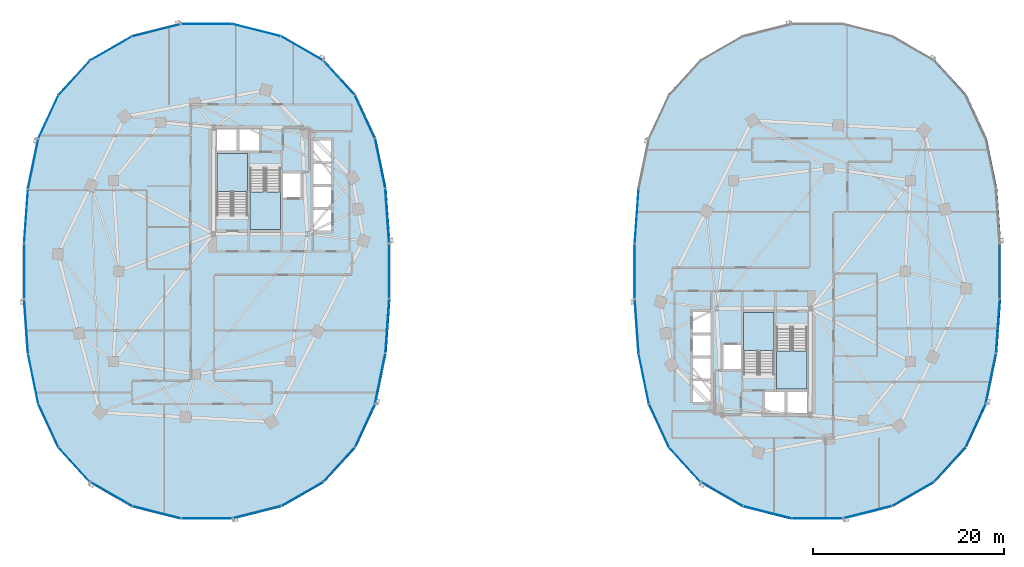
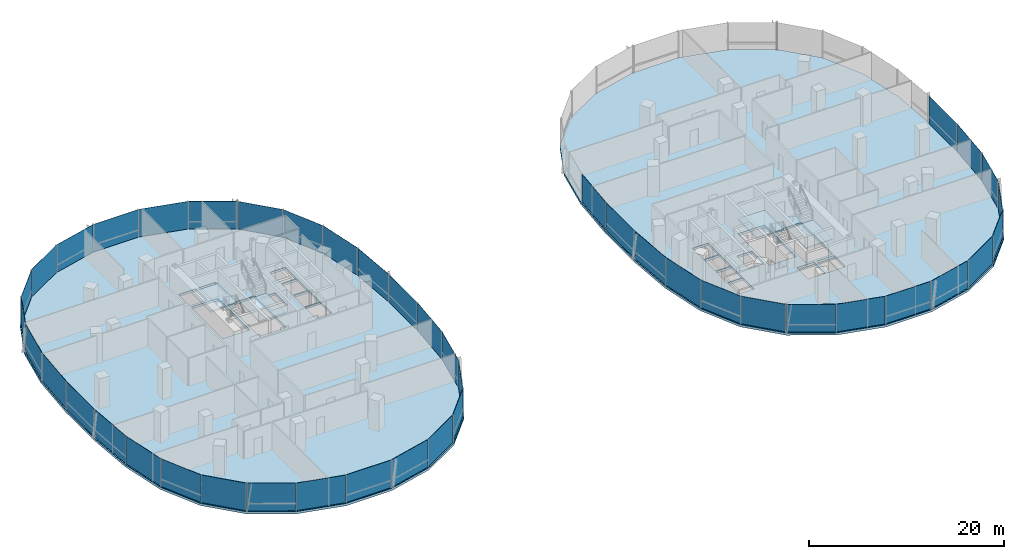
# One storey, part 9 of 22: 44 plates, 6 slabs, 11 elements without a shape of their own.
"""IFC4 building model written with IfcOpenShell, lengths in metres."""

from ifc_helpers import new_model, si_unit, direction, frame, origin, origin_2d, place, context, subcontext, project, spatial, polyline, rectangle, outline, extrude, material, layer, layer_set, type_object, element, aggregate, save


model = new_model("IFC4")

# Units and contexts
model_context = context("Model", 3, precision=1e-05, world=origin(), true_north=direction((0.0, 1.0)))
body_context = subcontext(model_context, "Body", "Model", "MODEL_VIEW")
ifc_project = project(units=[si_unit("LENGTHUNIT", "METRE"), si_unit("AREAUNIT", "SQUARE_METRE"), si_unit("VOLUMEUNIT", "CUBIC_METRE"), si_unit("PLANEANGLEUNIT", "RADIAN"), si_unit("MASSUNIT", "GRAM", prefix="KILO"), si_unit("THERMODYNAMICTEMPERATUREUNIT", "KELVIN"), si_unit("POWERUNIT", "WATT")], contexts=[model_context])

# Site, building, storey
site_placement = place(None, origin())
site = spatial("IfcSite", under=ifc_project, at=site_placement, CompositionType="ELEMENT")
building_placement = place(site_placement, origin())
building = spatial("IfcBuilding", under=site, at=building_placement, Name="Cundina Bronze Exchange", CompositionType="ELEMENT")
storey_placement = place(building_placement, frame((0.0, 0.0, 39.199951171875)))
storey = spatial("IfcBuildingStorey", under=building, at=storey_placement, Name="L09", CompositionType="ELEMENT", Elevation=39.199951171875)

# Curtain wall, plates
ifc_material_1 = material(Name="Anodised Bronze Aluminium 6063-T6", Category="aluminium")
curtain_wall_type = type_object("IfcCurtainWallType", Name="CWS-TRD-LOW", PredefinedType="NOTDEFINED", material=ifc_material_1)
curtain_wall_1_placement = place(storey_placement, origin())
curtain_wall_1 = element("IfcCurtainWall", 1, at=curtain_wall_1_placement, inside=storey, type_object=curtain_wall_type, Name="L09 CW-02 Curtain Wall Run CWR-L09-W1", PredefinedType="NOTDEFINED")
ifc_material_2 = material(Name="Heat-Strengthened Solar-Control Bronze Safety Glass 28mm", Category="glass")
ifc_layer_1 = layer(ifc_material_2, 0.028076171875, Name="Heat-Strengthened Solar-Control Bronze Safety Glass 28mm", Category="glass")
ifc_layer_set_1 = layer_set([ifc_layer_1], Name="Heat-Strengthened Solar-Control Bronze Safety Glass 28mm")
plate_type_1 = type_object("IfcPlateType", Name="PLT-GLZ-VIS28", PredefinedType="CURTAIN_PANEL", material=ifc_layer_set_1)
plate_1_placement = place(storey_placement, frame((-13.81591796875, 11.269775390625, 0.02001953125), z_axis=(0.0, 0.0, 1.0), x_axis=(-0.201419845156, 0.979505000486, 0.0)))
plate_1 = element("IfcPlate", 2, at=plate_1_placement, type_object=plate_type_1, Name="CW-02 Glazed Panel 2", PredefinedType="CURTAIN_PANEL", context=body_context, shape_type="SweptSolid", body=[
    extrude(rectangle(XDim=5.306640625, YDim=0.028076171875, at=origin_2d()), origin(), (0.0, 0.0, 1.0), 3.4599609375),
])
plate_2_placement = place(storey_placement, frame((-15.413818359375, 16.177734375, 0.02001953125), z_axis=(0.0, 0.0, 1.0), x_axis=(-0.42084583328, 0.907132175932, 0.0)))
plate_2 = element("IfcPlate", 3, at=plate_2_placement, type_object=plate_type_1, Name="CW-02 Glazed Panel 3", PredefinedType="CURTAIN_PANEL", context=body_context, shape_type="SweptSolid", body=[
    extrude(rectangle(XDim=4.966552734375, YDim=0.028076171875, at=origin_2d()), origin(), (0.0, 0.0, 1.0), 3.4599609375),
])
plate_3_placement = place(storey_placement, frame((-18.1259765625, 20.267333984375, 0.02001953125), z_axis=(0.0, 0.0, 1.0), x_axis=(-0.674276610219, 0.73847887777, 0.0)))
plate_3 = element("IfcPlate", 4, at=plate_3_placement, type_object=plate_type_1, Name="CW-02 Glazed Panel 4", PredefinedType="CURTAIN_PANEL", context=body_context, shape_type="SweptSolid", body=[
    extrude(rectangle(XDim=4.86328125, YDim=0.028076171875, at=origin_2d()), origin(), (0.0, 0.0, 1.0), 3.4599609375),
])
plate_4_placement = place(storey_placement, frame((-21.980712890625, 23.34423828125, 0.02001953125), z_axis=(0.0, 0.0, 1.0), x_axis=(-0.867105478933, 0.498124571171, 0.0)))
plate_4 = element("IfcPlate", 5, at=plate_4_placement, type_object=plate_type_1, Name="CW-02 Glazed Panel 5", PredefinedType="CURTAIN_PANEL", context=body_context, shape_type="SweptSolid", body=[
    extrude(rectangle(XDim=5.021240234375, YDim=0.028076171875, at=origin_2d()), origin(), (0.0, 0.0, 1.0), 3.4599609375),
])
plate_5_placement = place(storey_placement, frame((-32.0, 25.905029296875, 0.02001953125), z_axis=(0.0, 0.0, 1.0), x_axis=(-1.0, 0.0, 0.0)))
plate_5 = element("IfcPlate", 6, at=plate_5_placement, type_object=plate_type_1, Name="CW-02 Glazed Panel 7", PredefinedType="CURTAIN_PANEL", context=body_context, shape_type="SweptSolid", body=[
    extrude(rectangle(XDim=5.323974609375, YDim=0.028076171875, at=origin_2d()), origin(), (0.0, 0.0, 1.0), 3.4599609375),
])

curtain_wall_2_placement = place(storey_placement, origin())
curtain_wall_2 = element("IfcCurtainWall", 7, at=curtain_wall_2_placement, inside=storey, type_object=curtain_wall_type, Name="L09 CW-02 Curtain Wall Run CWR-L09-W2", PredefinedType="NOTDEFINED")
plate_6_placement = place(storey_placement, frame((-37.255615234375, 25.256591796875, 0.02001953125), z_axis=(0.0, 0.0, 1.0), x_axis=(-0.969488149345, -0.245138182011, 0.0)))
plate_6 = element("IfcPlate", 8, at=plate_6_placement, type_object=plate_type_1, Name="CW-02 Glazed Panel 1", PredefinedType="CURTAIN_PANEL", context=body_context, shape_type="SweptSolid", body=[
    extrude(rectangle(XDim=5.2333984375, YDim=0.028076171875, at=origin_2d()), origin(), (0.0, 0.0, 1.0), 3.4599609375),
])
plate_7_placement = place(storey_placement, frame((-42.019287109375, 23.34423828125, 0.02001953125), z_axis=(0.0, 0.0, 1.0), x_axis=(-0.867105478933, -0.498124571171, 0.0)))
plate_7 = element("IfcPlate", 9, at=plate_7_placement, type_object=plate_type_1, Name="CW-02 Glazed Panel 2", PredefinedType="CURTAIN_PANEL", context=body_context, shape_type="SweptSolid", body=[
    extrude(rectangle(XDim=5.021240234375, YDim=0.028076171875, at=origin_2d()), origin(), (0.0, 0.0, 1.0), 3.4599609375),
])
plate_8_placement = place(storey_placement, frame((-45.8740234375, 20.267333984375, 0.02001953125), z_axis=(0.0, 0.0, 1.0), x_axis=(-0.674276610219, -0.73847887777, 0.0)))
plate_8 = element("IfcPlate", 10, at=plate_8_placement, type_object=plate_type_1, Name="CW-02 Glazed Panel 3", PredefinedType="CURTAIN_PANEL", context=body_context, shape_type="SweptSolid", body=[
    extrude(rectangle(XDim=4.86328125, YDim=0.028076171875, at=origin_2d()), origin(), (0.0, 0.0, 1.0), 3.4599609375),
])
plate_9_placement = place(storey_placement, frame((-48.586181640625, 16.177734375, 0.02001953125), z_axis=(0.0, 0.0, 1.0), x_axis=(-0.42084583328, -0.907132175932, 0.0)))
plate_9 = element("IfcPlate", 11, at=plate_9_placement, type_object=plate_type_1, Name="CW-02 Glazed Panel 4", PredefinedType="CURTAIN_PANEL", context=body_context, shape_type="SweptSolid", body=[
    extrude(rectangle(XDim=4.966552734375, YDim=0.028076171875, at=origin_2d()), origin(), (0.0, 0.0, 1.0), 3.4599609375),
])
plate_10_placement = place(storey_placement, frame((-50.9267578125, 5.783935546875, 0.02001953125), z_axis=(0.0, 0.0, 1.0), x_axis=(-0.070278787473, -0.997527389113, 0.0)))
plate_10 = element("IfcPlate", 12, at=plate_10_placement, type_object=plate_type_1, Name="CW-02 Glazed Panel 6", PredefinedType="CURTAIN_PANEL", context=body_context, shape_type="SweptSolid", body=[
    extrude(rectangle(XDim=5.644287109375, YDim=0.028076171875, at=origin_2d()), origin(), (0.0, 0.0, 1.0), 3.4599609375),
])
plate_11_placement = place(storey_placement, frame((-51.1279296875, 0.0, 0.02001953125), z_axis=(0.0, 0.0, 1.0), x_axis=(0.0, -1.0, 0.0)))
plate_11 = element("IfcPlate", 13, at=plate_11_placement, type_object=plate_type_1, Name="CW-02 Glazed Panel 7", PredefinedType="CURTAIN_PANEL", context=body_context, shape_type="SweptSolid", body=[
    extrude(rectangle(XDim=5.77587890625, YDim=0.028076171875, at=origin_2d()), origin(), (0.0, 0.0, 1.0), 3.4599609375),
])

curtain_wall_3_placement = place(storey_placement, origin())
curtain_wall_3 = element("IfcCurtainWall", 14, at=curtain_wall_3_placement, inside=storey, type_object=curtain_wall_type, Name="L09 CW-02 Curtain Wall Run CWR-L09-W3", PredefinedType="NOTDEFINED")
plate_12_placement = place(storey_placement, frame((-50.9267578125, -5.783935546875, 0.02001953125), z_axis=(0.0, 0.0, 1.0), x_axis=(0.070278787473, -0.997527389113, 0.0)))
plate_12 = element("IfcPlate", 15, at=plate_12_placement, type_object=plate_type_1, Name="CW-02 Glazed Panel 1", PredefinedType="CURTAIN_PANEL", context=body_context, shape_type="SweptSolid", body=[
    extrude(rectangle(XDim=5.644287109375, YDim=0.028076171875, at=origin_2d()), origin(), (0.0, 0.0, 1.0), 3.4599609375),
])
plate_13_placement = place(storey_placement, frame((-50.18408203125, -11.269775390625, 0.02001953125), z_axis=(0.0, 0.0, 1.0), x_axis=(0.201419845156, -0.979505000486, 0.0)))
plate_13 = element("IfcPlate", 16, at=plate_13_placement, type_object=plate_type_1, Name="CW-02 Glazed Panel 2", PredefinedType="CURTAIN_PANEL", context=body_context, shape_type="SweptSolid", body=[
    extrude(rectangle(XDim=5.306640625, YDim=0.028076171875, at=origin_2d()), origin(), (0.0, 0.0, 1.0), 3.4599609375),
])
plate_14_placement = place(storey_placement, frame((-48.586181640625, -16.177734375, 0.02001953125), z_axis=(0.0, 0.0, 1.0), x_axis=(0.42084583328, -0.907132175932, 0.0)))
plate_14 = element("IfcPlate", 17, at=plate_14_placement, type_object=plate_type_1, Name="CW-02 Glazed Panel 3", PredefinedType="CURTAIN_PANEL", context=body_context, shape_type="SweptSolid", body=[
    extrude(rectangle(XDim=4.966552734375, YDim=0.028076171875, at=origin_2d()), origin(), (0.0, 0.0, 1.0), 3.4599609375),
])
plate_15_placement = place(storey_placement, frame((-42.019287109375, -23.34423828125, 0.02001953125), z_axis=(0.0, 0.0, 1.0), x_axis=(0.867105478933, -0.498124571171, 0.0)))
plate_15 = element("IfcPlate", 18, at=plate_15_placement, type_object=plate_type_1, Name="CW-02 Glazed Panel 5", PredefinedType="CURTAIN_PANEL", context=body_context, shape_type="SweptSolid", body=[
    extrude(rectangle(XDim=5.021240234375, YDim=0.028076171875, at=origin_2d()), origin(), (0.0, 0.0, 1.0), 3.4599609375),
])
plate_16_placement = place(storey_placement, frame((-37.255615234375, -25.256591796875, 0.02001953125), z_axis=(0.0, 0.0, 1.0), x_axis=(0.969488149345, -0.245138182011, 0.0)))
plate_16 = element("IfcPlate", 19, at=plate_16_placement, type_object=plate_type_1, Name="CW-02 Glazed Panel 6", PredefinedType="CURTAIN_PANEL", context=body_context, shape_type="SweptSolid", body=[
    extrude(rectangle(XDim=5.2333984375, YDim=0.028076171875, at=origin_2d()), origin(), (0.0, 0.0, 1.0), 3.4599609375),
])
plate_17_placement = place(storey_placement, frame((-32.0, -25.905029296875, 0.02001953125), z_axis=(0.0, 0.0, 1.0), x_axis=(1.0, 0.0, 0.0)))
plate_17 = element("IfcPlate", 20, at=plate_17_placement, type_object=plate_type_1, Name="CW-02 Glazed Panel 7", PredefinedType="CURTAIN_PANEL", context=body_context, shape_type="SweptSolid", body=[
    extrude(rectangle(XDim=5.323974609375, YDim=0.028076171875, at=origin_2d()), origin(), (0.0, 0.0, 1.0), 3.4599609375),
])

curtain_wall_4_placement = place(storey_placement, origin())
curtain_wall_4 = element("IfcCurtainWall", 21, at=curtain_wall_4_placement, inside=storey, type_object=curtain_wall_type, Name="L09 CW-02 Curtain Wall Run CWR-L09-W4", PredefinedType="NOTDEFINED")
plate_18_placement = place(storey_placement, frame((-26.744384765625, -25.256591796875, 0.02001953125), z_axis=(0.0, 0.0, 1.0), x_axis=(0.969488149345, 0.245138182011, 0.0)))
plate_18 = element("IfcPlate", 22, at=plate_18_placement, type_object=plate_type_1, Name="CW-02 Glazed Panel 1", PredefinedType="CURTAIN_PANEL", context=body_context, shape_type="SweptSolid", body=[
    extrude(rectangle(XDim=5.2333984375, YDim=0.028076171875, at=origin_2d()), origin(), (0.0, 0.0, 1.0), 3.4599609375),
])
plate_19_placement = place(storey_placement, frame((-21.980712890625, -23.34423828125, 0.02001953125), z_axis=(0.0, 0.0, 1.0), x_axis=(0.867105478933, 0.498124571171, 0.0)))
plate_19 = element("IfcPlate", 23, at=plate_19_placement, type_object=plate_type_1, Name="CW-02 Glazed Panel 2", PredefinedType="CURTAIN_PANEL", context=body_context, shape_type="SweptSolid", body=[
    extrude(rectangle(XDim=5.021240234375, YDim=0.028076171875, at=origin_2d()), origin(), (0.0, 0.0, 1.0), 3.4599609375),
])
plate_20_placement = place(storey_placement, frame((-15.413818359375, -16.177734375, 0.02001953125), z_axis=(0.0, 0.0, 1.0), x_axis=(0.42084583328, 0.907132175932, 0.0)))
plate_20 = element("IfcPlate", 24, at=plate_20_placement, type_object=plate_type_1, Name="CW-02 Glazed Panel 4", PredefinedType="CURTAIN_PANEL", context=body_context, shape_type="SweptSolid", body=[
    extrude(rectangle(XDim=4.966552734375, YDim=0.028076171875, at=origin_2d()), origin(), (0.0, 0.0, 1.0), 3.4599609375),
])
plate_21_placement = place(storey_placement, frame((-13.81591796875, -11.269775390625, 0.02001953125), z_axis=(0.0, 0.0, 1.0), x_axis=(0.201419845156, 0.979505000486, 0.0)))
plate_21 = element("IfcPlate", 25, at=plate_21_placement, type_object=plate_type_1, Name="CW-02 Glazed Panel 5", PredefinedType="CURTAIN_PANEL", context=body_context, shape_type="SweptSolid", body=[
    extrude(rectangle(XDim=5.306640625, YDim=0.028076171875, at=origin_2d()), origin(), (0.0, 0.0, 1.0), 3.4599609375),
])
plate_22_placement = place(storey_placement, frame((-13.0732421875, -5.783935546875, 0.02001953125), z_axis=(0.0, 0.0, 1.0), x_axis=(0.070278787473, 0.997527389113, 0.0)))
plate_22 = element("IfcPlate", 26, at=plate_22_placement, type_object=plate_type_1, Name="CW-02 Glazed Panel 6", PredefinedType="CURTAIN_PANEL", context=body_context, shape_type="SweptSolid", body=[
    extrude(rectangle(XDim=5.644287109375, YDim=0.028076171875, at=origin_2d()), origin(), (0.0, 0.0, 1.0), 3.4599609375),
])
plate_23_placement = place(storey_placement, frame((-12.8720703125, 0.0, 0.02001953125), z_axis=(0.0, 0.0, 1.0), x_axis=(0.0, 1.0, 0.0)))
plate_23 = element("IfcPlate", 27, at=plate_23_placement, type_object=plate_type_1, Name="CW-02 Glazed Panel 7", PredefinedType="CURTAIN_PANEL", context=body_context, shape_type="SweptSolid", body=[
    extrude(rectangle(XDim=5.77587890625, YDim=0.028076171875, at=origin_2d()), origin(), (0.0, 0.0, 1.0), 3.4599609375),
])

curtain_wall_5_placement = place(storey_placement, origin())
curtain_wall_5 = element("IfcCurtainWall", 28, at=curtain_wall_5_placement, inside=storey, type_object=curtain_wall_type, Name="L09 CW-02 Curtain Wall Run CWR-L09-E2", PredefinedType="NOTDEFINED")
plate_24_placement = place(storey_placement, frame((13.0732421875, 5.783935546875, 0.02001953125), z_axis=(0.0, 0.0, 1.0), x_axis=(-0.070278787473, -0.997527389113, 0.0)))
plate_24 = element("IfcPlate", 29, at=plate_24_placement, type_object=plate_type_1, Name="CW-02 Glazed Panel 6", PredefinedType="CURTAIN_PANEL", context=body_context, shape_type="SweptSolid", body=[
    extrude(rectangle(XDim=5.644287109375, YDim=0.028076171875, at=origin_2d()), origin(), (0.0, 0.0, 1.0), 3.4599609375),
])
plate_25_placement = place(storey_placement, frame((12.8720703125, 0.0, 0.02001953125), z_axis=(0.0, 0.0, 1.0), x_axis=(0.0, -1.0, 0.0)))
plate_25 = element("IfcPlate", 30, at=plate_25_placement, type_object=plate_type_1, Name="CW-02 Glazed Panel 7", PredefinedType="CURTAIN_PANEL", context=body_context, shape_type="SweptSolid", body=[
    extrude(rectangle(XDim=5.77587890625, YDim=0.028076171875, at=origin_2d()), origin(), (0.0, 0.0, 1.0), 3.4599609375),
])
aggregate(curtain_wall_5, [plate_24, plate_25])

curtain_wall_6_placement = place(storey_placement, origin())
curtain_wall_6 = element("IfcCurtainWall", 31, at=curtain_wall_6_placement, inside=storey, type_object=curtain_wall_type, Name="L09 CW-02 Curtain Wall Run CWR-L09-E3", PredefinedType="NOTDEFINED")
plate_26_placement = place(storey_placement, frame((13.0732421875, -5.783935546875, 0.02001953125), z_axis=(0.0, 0.0, 1.0), x_axis=(0.070278787473, -0.997527389113, 0.0)))
plate_26 = element("IfcPlate", 32, at=plate_26_placement, type_object=plate_type_1, Name="CW-02 Glazed Panel 1", PredefinedType="CURTAIN_PANEL", context=body_context, shape_type="SweptSolid", body=[
    extrude(rectangle(XDim=5.644287109375, YDim=0.028076171875, at=origin_2d()), origin(), (0.0, 0.0, 1.0), 3.4599609375),
])
plate_27_placement = place(storey_placement, frame((13.81591796875, -11.269775390625, 0.02001953125), z_axis=(0.0, 0.0, 1.0), x_axis=(0.201419845156, -0.979505000486, 0.0)))
plate_27 = element("IfcPlate", 33, at=plate_27_placement, type_object=plate_type_1, Name="CW-02 Glazed Panel 2", PredefinedType="CURTAIN_PANEL", context=body_context, shape_type="SweptSolid", body=[
    extrude(rectangle(XDim=5.306640625, YDim=0.028076171875, at=origin_2d()), origin(), (0.0, 0.0, 1.0), 3.4599609375),
])
plate_28_placement = place(storey_placement, frame((15.413818359375, -16.177734375, 0.02001953125), z_axis=(0.0, 0.0, 1.0), x_axis=(0.42084583328, -0.907132175932, 0.0)))
plate_28 = element("IfcPlate", 34, at=plate_28_placement, type_object=plate_type_1, Name="CW-02 Glazed Panel 3", PredefinedType="CURTAIN_PANEL", context=body_context, shape_type="SweptSolid", body=[
    extrude(rectangle(XDim=4.966552734375, YDim=0.028076171875, at=origin_2d()), origin(), (0.0, 0.0, 1.0), 3.4599609375),
])
plate_29_placement = place(storey_placement, frame((21.980712890625, -23.34423828125, 0.02001953125), z_axis=(0.0, 0.0, 1.0), x_axis=(0.867105478933, -0.498124571171, 0.0)))
plate_29 = element("IfcPlate", 35, at=plate_29_placement, type_object=plate_type_1, Name="CW-02 Glazed Panel 5", PredefinedType="CURTAIN_PANEL", context=body_context, shape_type="SweptSolid", body=[
    extrude(rectangle(XDim=5.021240234375, YDim=0.028076171875, at=origin_2d()), origin(), (0.0, 0.0, 1.0), 3.4599609375),
])
plate_30_placement = place(storey_placement, frame((26.744384765625, -25.256591796875, 0.02001953125), z_axis=(0.0, 0.0, 1.0), x_axis=(0.969488149345, -0.245138182011, 0.0)))
plate_30 = element("IfcPlate", 36, at=plate_30_placement, type_object=plate_type_1, Name="CW-02 Glazed Panel 6", PredefinedType="CURTAIN_PANEL", context=body_context, shape_type="SweptSolid", body=[
    extrude(rectangle(XDim=5.2333984375, YDim=0.028076171875, at=origin_2d()), origin(), (0.0, 0.0, 1.0), 3.4599609375),
])
plate_31_placement = place(storey_placement, frame((32.0, -25.905029296875, 0.02001953125), z_axis=(0.0, 0.0, 1.0), x_axis=(1.0, 0.0, 0.0)))
plate_31 = element("IfcPlate", 37, at=plate_31_placement, type_object=plate_type_1, Name="CW-02 Glazed Panel 7", PredefinedType="CURTAIN_PANEL", context=body_context, shape_type="SweptSolid", body=[
    extrude(rectangle(XDim=5.323974609375, YDim=0.028076171875, at=origin_2d()), origin(), (0.0, 0.0, 1.0), 3.4599609375),
])

curtain_wall_7_placement = place(storey_placement, origin())
curtain_wall_7 = element("IfcCurtainWall", 38, at=curtain_wall_7_placement, inside=storey, type_object=curtain_wall_type, Name="L09 CW-02 Curtain Wall Run CWR-L09-E4", PredefinedType="NOTDEFINED")
plate_32_placement = place(storey_placement, frame((37.255615234375, -25.256591796875, 0.02001953125), z_axis=(0.0, 0.0, 1.0), x_axis=(0.969488149345, 0.245138182011, 0.0)))
plate_32 = element("IfcPlate", 39, at=plate_32_placement, type_object=plate_type_1, Name="CW-02 Glazed Panel 1", PredefinedType="CURTAIN_PANEL", context=body_context, shape_type="SweptSolid", body=[
    extrude(rectangle(XDim=5.2333984375, YDim=0.028076171875, at=origin_2d()), origin(), (0.0, 0.0, 1.0), 3.4599609375),
])
plate_33_placement = place(storey_placement, frame((42.019287109375, -23.34423828125, 0.02001953125), z_axis=(0.0, 0.0, 1.0), x_axis=(0.867105478933, 0.498124571171, 0.0)))
plate_33 = element("IfcPlate", 40, at=plate_33_placement, type_object=plate_type_1, Name="CW-02 Glazed Panel 2", PredefinedType="CURTAIN_PANEL", context=body_context, shape_type="SweptSolid", body=[
    extrude(rectangle(XDim=5.021240234375, YDim=0.028076171875, at=origin_2d()), origin(), (0.0, 0.0, 1.0), 3.4599609375),
])
plate_34_placement = place(storey_placement, frame((48.586181640625, -16.177734375, 0.02001953125), z_axis=(0.0, 0.0, 1.0), x_axis=(0.42084583328, 0.907132175932, 0.0)))
plate_34 = element("IfcPlate", 41, at=plate_34_placement, type_object=plate_type_1, Name="CW-02 Glazed Panel 4", PredefinedType="CURTAIN_PANEL", context=body_context, shape_type="SweptSolid", body=[
    extrude(rectangle(XDim=4.966552734375, YDim=0.028076171875, at=origin_2d()), origin(), (0.0, 0.0, 1.0), 3.4599609375),
])
plate_35_placement = place(storey_placement, frame((50.18408203125, -11.269775390625, 0.02001953125), z_axis=(0.0, 0.0, 1.0), x_axis=(0.201419845156, 0.979505000486, 0.0)))
plate_35 = element("IfcPlate", 42, at=plate_35_placement, type_object=plate_type_1, Name="CW-02 Glazed Panel 5", PredefinedType="CURTAIN_PANEL", context=body_context, shape_type="SweptSolid", body=[
    extrude(rectangle(XDim=5.306640625, YDim=0.028076171875, at=origin_2d()), origin(), (0.0, 0.0, 1.0), 3.4599609375),
])
plate_36_placement = place(storey_placement, frame((50.9267578125, -5.783935546875, 0.02001953125), z_axis=(0.0, 0.0, 1.0), x_axis=(0.070278787473, 0.997527389113, 0.0)))
plate_36 = element("IfcPlate", 43, at=plate_36_placement, type_object=plate_type_1, Name="CW-02 Glazed Panel 6", PredefinedType="CURTAIN_PANEL", context=body_context, shape_type="SweptSolid", body=[
    extrude(rectangle(XDim=5.644287109375, YDim=0.028076171875, at=origin_2d()), origin(), (0.0, 0.0, 1.0), 3.4599609375),
])
plate_37_placement = place(storey_placement, frame((51.1279296875, 0.0, 0.02001953125), z_axis=(0.0, 0.0, 1.0), x_axis=(0.0, 1.0, 0.0)))
plate_37 = element("IfcPlate", 44, at=plate_37_placement, type_object=plate_type_1, Name="CW-02 Glazed Panel 7", PredefinedType="CURTAIN_PANEL", context=body_context, shape_type="SweptSolid", body=[
    extrude(rectangle(XDim=5.77587890625, YDim=0.028076171875, at=origin_2d()), origin(), (0.0, 0.0, 1.0), 3.4599609375),
])

# Plate
ifc_material_3 = material(Name="Dark Bronze Spandrel Glass Panel 32mm", Category="glass")
ifc_layer_2 = layer(ifc_material_3, 0.031982421875, Name="Dark Bronze Spandrel Glass Panel 32mm", Category="glass")
ifc_layer_set_2 = layer_set([ifc_layer_2], Name="Dark Bronze Spandrel Glass Panel 32mm")
plate_type_2 = type_object("IfcPlateType", Name="PLT-SPN-BRZ32", PredefinedType="CURTAIN_PANEL", material=ifc_layer_set_2)
plate_38_placement = place(storey_placement, frame((-13.0732421875, 5.783935546875, 0.02001953125), z_axis=(0.0, 0.0, 1.0), x_axis=(-0.070278787473, 0.997527389113, 0.0)))
plate_38 = element("IfcPlate", 45, at=plate_38_placement, type_object=plate_type_2, Name="CW-02 Glazed Panel 1", PredefinedType="CURTAIN_PANEL", context=body_context, shape_type="SweptSolid", body=[
    extrude(rectangle(XDim=5.644287109375, YDim=0.031982421875, at=origin_2d()), origin(), (0.0, 0.0, 1.0), 3.4599609375),
])

plate_39_placement = place(storey_placement, frame((-26.744384765625, 25.256591796875, 0.02001953125), z_axis=(0.0, 0.0, 1.0), x_axis=(-0.969488149345, 0.245138182011, 0.0)))
plate_39 = element("IfcPlate", 46, at=plate_39_placement, type_object=plate_type_2, Name="CW-02 Glazed Panel 6", PredefinedType="CURTAIN_PANEL", context=body_context, shape_type="SweptSolid", body=[
    extrude(rectangle(XDim=5.2333984375, YDim=0.031982421875, at=origin_2d()), origin(), (0.0, 0.0, 1.0), 3.4599609375),
])

aggregate(curtain_wall_1, [plate_38, plate_1, plate_2, plate_3, plate_4, plate_39, plate_5])

plate_40_placement = place(storey_placement, frame((-50.18408203125, 11.269775390625, 0.02001953125), z_axis=(0.0, 0.0, 1.0), x_axis=(-0.201419845156, -0.979505000486, 0.0)))
plate_40 = element("IfcPlate", 47, at=plate_40_placement, type_object=plate_type_2, Name="CW-02 Glazed Panel 5", PredefinedType="CURTAIN_PANEL", context=body_context, shape_type="SweptSolid", body=[
    extrude(rectangle(XDim=5.306640625, YDim=0.031982421875, at=origin_2d()), origin(), (0.0, 0.0, 1.0), 3.4599609375),
])

aggregate(curtain_wall_2, [plate_6, plate_7, plate_8, plate_9, plate_40, plate_10, plate_11])

plate_41_placement = place(storey_placement, frame((-45.8740234375, -20.267333984375, 0.02001953125), z_axis=(0.0, 0.0, 1.0), x_axis=(0.674276610219, -0.73847887777, 0.0)))
plate_41 = element("IfcPlate", 48, at=plate_41_placement, type_object=plate_type_2, Name="CW-02 Glazed Panel 4", PredefinedType="CURTAIN_PANEL", context=body_context, shape_type="SweptSolid", body=[
    extrude(rectangle(XDim=4.86328125, YDim=0.031982421875, at=origin_2d()), origin(), (0.0, 0.0, 1.0), 3.4599609375),
])

aggregate(curtain_wall_3, [plate_12, plate_13, plate_14, plate_41, plate_15, plate_16, plate_17])

plate_42_placement = place(storey_placement, frame((-18.1259765625, -20.267333984375, 0.02001953125), z_axis=(0.0, 0.0, 1.0), x_axis=(0.674276610219, 0.73847887777, 0.0)))
plate_42 = element("IfcPlate", 49, at=plate_42_placement, type_object=plate_type_2, Name="CW-02 Glazed Panel 3", PredefinedType="CURTAIN_PANEL", context=body_context, shape_type="SweptSolid", body=[
    extrude(rectangle(XDim=4.86328125, YDim=0.031982421875, at=origin_2d()), origin(), (0.0, 0.0, 1.0), 3.4599609375),
])

aggregate(curtain_wall_4, [plate_18, plate_19, plate_42, plate_20, plate_21, plate_22, plate_23])

plate_43_placement = place(storey_placement, frame((18.1259765625, -20.267333984375, 0.02001953125), z_axis=(0.0, 0.0, 1.0), x_axis=(0.674276610219, -0.73847887777, 0.0)))
plate_43 = element("IfcPlate", 50, at=plate_43_placement, type_object=plate_type_2, Name="CW-02 Glazed Panel 4", PredefinedType="CURTAIN_PANEL", context=body_context, shape_type="SweptSolid", body=[
    extrude(rectangle(XDim=4.86328125, YDim=0.031982421875, at=origin_2d()), origin(), (0.0, 0.0, 1.0), 3.4599609375),
])

aggregate(curtain_wall_6, [plate_26, plate_27, plate_28, plate_43, plate_29, plate_30, plate_31])

plate_44_placement = place(storey_placement, frame((45.8740234375, -20.267333984375, 0.02001953125), z_axis=(0.0, 0.0, 1.0), x_axis=(0.674276610219, 0.73847887777, 0.0)))
plate_44 = element("IfcPlate", 51, at=plate_44_placement, type_object=plate_type_2, Name="CW-02 Glazed Panel 3", PredefinedType="CURTAIN_PANEL", context=body_context, shape_type="SweptSolid", body=[
    extrude(rectangle(XDim=4.86328125, YDim=0.031982421875, at=origin_2d()), origin(), (0.0, 0.0, 1.0), 3.4599609375),
])

aggregate(curtain_wall_7, [plate_32, plate_33, plate_44, plate_34, plate_35, plate_36, plate_37])

# Stair, slab
ifc_material_4 = material(Name="Concrete C40/50", Category="concrete")
stair_type = type_object("IfcStairType", Name="STR-TRD-380", PredefinedType="HALF_TURN_STAIR", material=ifc_material_4)
stair_1_placement = place(storey_placement, origin())
stair_1 = element("IfcStair", 52, at=stair_1_placement, inside=storey, type_object=stair_type, Name="L09 Smokeproof Exit Stair W1", PredefinedType="HALF_TURN_STAIR")
ifc_layer_3 = layer(ifc_material_4, 0.199951171875, Name="Concrete C40/50", Category="concrete")
ifc_layer_set_3 = layer_set([ifc_layer_3], Name="Concrete C40/50")
slab_type_1 = type_object("IfcSlabType", Name="SLB-LND-200", PredefinedType="LANDING", material=ifc_layer_set_3)
slab_1_placement = place(storey_placement, frame((0.0, 0.0, 1.699951171875)))
slab_1 = element("IfcSlab", 53, at=slab_1_placement, type_object=slab_type_1, Name="ST-W1 landing 1", PredefinedType="LANDING", context=body_context, shape_type="SweptSolid", body=[
    extrude(outline(polyline([(-27.739990234375, 8.3701171875), (-27.739990234375, 12.35009765625), (-30.89990234375, 12.35009765625), (-30.89990234375, 8.3701171875), (-27.739990234375, 8.3701171875)])), origin(), (0.0, 0.0, 1.0), 0.2001953125),
])
aggregate(stair_1, [slab_1])

stair_2_placement = place(storey_placement, origin())
stair_2 = element("IfcStair", 54, at=stair_2_placement, inside=storey, type_object=stair_type, Name="L09 Smokeproof Exit Stair W2", PredefinedType="HALF_TURN_STAIR")
slab_2_placement = place(storey_placement, frame((0.0, 0.0, 1.699951171875)))
slab_2 = element("IfcSlab", 55, at=slab_2_placement, type_object=slab_type_1, Name="ST-W2 landing 1", PredefinedType="LANDING", context=body_context, shape_type="SweptSolid", body=[
    extrude(outline(polyline([(-27.43994140625, 8.330078125), (-27.43994140625, 4.35009765625), (-24.280029296875, 4.35009765625), (-24.280029296875, 8.330078125), (-27.43994140625, 8.330078125)])), origin(), (0.0, 0.0, 1.0), 0.2001953125),
])
aggregate(stair_2, [slab_2])

stair_3_placement = place(storey_placement, origin())
stair_3 = element("IfcStair", 56, at=stair_3_placement, inside=storey, type_object=stair_type, Name="L09 Smokeproof Exit Stair E1", PredefinedType="HALF_TURN_STAIR")
slab_3_placement = place(storey_placement, frame((0.0, 0.0, 1.699951171875)))
slab_3 = element("IfcSlab", 57, at=slab_3_placement, type_object=slab_type_1, Name="ST-E1 landing 1", PredefinedType="LANDING", context=body_context, shape_type="SweptSolid", body=[
    extrude(outline(polyline([(27.739990234375, -8.3701171875), (27.739990234375, -12.35009765625), (30.89990234375, -12.35009765625), (30.89990234375, -8.3701171875), (27.739990234375, -8.3701171875)])), origin(), (0.0, 0.0, 1.0), 0.2001953125),
])
aggregate(stair_3, [slab_3])

stair_4_placement = place(storey_placement, origin())
stair_4 = element("IfcStair", 58, at=stair_4_placement, inside=storey, type_object=stair_type, Name="L09 Smokeproof Exit Stair E2", PredefinedType="HALF_TURN_STAIR")
slab_4_placement = place(storey_placement, frame((0.0, 0.0, 1.699951171875)))
slab_4 = element("IfcSlab", 59, at=slab_4_placement, type_object=slab_type_1, Name="ST-E2 landing 1", PredefinedType="LANDING", context=body_context, shape_type="SweptSolid", body=[
    extrude(outline(polyline([(27.43994140625, -8.330078125), (27.43994140625, -4.35009765625), (24.280029296875, -4.35009765625), (24.280029296875, -8.330078125), (27.43994140625, -8.330078125)])), origin(), (0.0, 0.0, 1.0), 0.2001953125),
])
aggregate(stair_4, [slab_4])

# Slabs
ifc_material_5 = material(Name="Concrete C50/60", Category="concrete")
ifc_layer_4 = layer(ifc_material_5, 0.300048828125, Name="Concrete C50/60", Category="concrete")
ifc_layer_set_4 = layer_set([ifc_layer_4], Name="Concrete C50/60")
slab_type_2 = type_object("IfcSlabType", Name="SLB-TRD-300", PredefinedType="FLOOR", material=ifc_layer_set_4)
slab_5_placement = place(storey_placement, frame((0.0, 0.0, -0.300048828125)))
element("IfcSlab", 60, at=slab_5_placement, inside=storey, type_object=slab_type_2, Name="L09 Leg W Structural Floor Slab", PredefinedType="FLOOR", context=body_context, shape_type="SweptSolid", body=[
    extrude(outline(polyline([(-12.741943359375, 2.93310546875), (-13.14501953125, 8.653076171875), (-14.23193359375, 13.93896484375), (-16.360107421875, 18.52587890625), (-19.699951171875, 22.18408203125), (-24.132080078125, 24.72998046875), (-29.29296875, 26.034912109375), (-34.70703125, 26.034912109375), (-39.867919921875, 24.72998046875), (-44.300048828125, 22.18408203125), (-47.639892578125, 18.52587890625), (-49.76806640625, 13.93896484375), (-50.85498046875, 8.653076171875), (-51.258056640625, 2.93310546875), (-51.258056640625, -2.93310546875), (-50.85498046875, -8.653076171875), (-49.76806640625, -13.93896484375), (-47.639892578125, -18.52587890625), (-44.300048828125, -22.18408203125), (-39.867919921875, -24.72998046875), (-34.70703125, -26.034912109375), (-29.29296875, -26.034912109375), (-24.132080078125, -24.72998046875), (-19.699951171875, -22.18408203125), (-16.360107421875, -18.52587890625), (-14.23193359375, -13.93896484375), (-13.14501953125, -8.653076171875), (-12.741943359375, -2.93310546875), (-12.741943359375, 2.93310546875)]), holes=[polyline([(-27.739990234375, 5.85009765625), (-27.739990234375, 12.35009765625), (-30.89990234375, 12.35009765625), (-30.89990234375, 5.85009765625), (-27.739990234375, 5.85009765625)]), polyline([(-27.43994140625, 10.85009765625), (-27.43994140625, 4.35009765625), (-24.280029296875, 4.35009765625), (-24.280029296875, 10.85009765625), (-27.43994140625, 10.85009765625)]), polyline([(-23.97998046875, 10.25), (-22.179931640625, 10.25), (-22.179931640625, 7.75), (-23.97998046875, 7.75), (-23.97998046875, 10.25)]), polyline([(-30.89990234375, 14.949951171875), (-28.85009765625, 14.949951171875), (-28.85009765625, 12.64990234375), (-30.89990234375, 12.64990234375), (-30.89990234375, 14.949951171875)]), polyline([(-28.550048828125, 14.949951171875), (-26.5, 14.949951171875), (-26.5, 12.64990234375), (-28.550048828125, 12.64990234375), (-28.550048828125, 14.949951171875)]), polyline([(-20.800048828125, 13.699951171875), (-18.949951171875, 13.699951171875), (-18.949951171875, 11.449951171875), (-20.800048828125, 11.449951171875), (-20.800048828125, 13.699951171875)]), polyline([(-20.800048828125, 11.300048828125), (-18.949951171875, 11.300048828125), (-18.949951171875, 9.050048828125), (-20.800048828125, 9.050048828125), (-20.800048828125, 11.300048828125)]), polyline([(-20.800048828125, 8.89990234375), (-18.949951171875, 8.89990234375), (-18.949951171875, 6.64990234375), (-20.800048828125, 6.64990234375), (-20.800048828125, 8.89990234375)]), polyline([(-20.800048828125, 6.5), (-18.949951171875, 6.5), (-18.949951171875, 4.25), (-20.800048828125, 4.25), (-20.800048828125, 6.5)])]), origin(), (0.0, 0.0, 1.0), 0.300048828125),
])
slab_6_placement = place(storey_placement, frame((0.0, 0.0, -0.300048828125)))
element("IfcSlab", 61, at=slab_6_placement, inside=storey, type_object=slab_type_2, Name="L09 Leg E Structural Floor Slab", PredefinedType="FLOOR", context=body_context, shape_type="SweptSolid", body=[
    extrude(outline(polyline([(51.258056640625, 2.93310546875), (50.85498046875, 8.653076171875), (49.76806640625, 13.93896484375), (47.639892578125, 18.52587890625), (44.300048828125, 22.18408203125), (39.867919921875, 24.72998046875), (34.70703125, 26.034912109375), (29.29296875, 26.034912109375), (24.132080078125, 24.72998046875), (19.699951171875, 22.18408203125), (16.360107421875, 18.52587890625), (14.23193359375, 13.93896484375), (13.14501953125, 8.653076171875), (12.741943359375, 2.93310546875), (12.741943359375, -2.93310546875), (13.14501953125, -8.653076171875), (14.23193359375, -13.93896484375), (16.360107421875, -18.52587890625), (19.699951171875, -22.18408203125), (24.132080078125, -24.72998046875), (29.29296875, -26.034912109375), (34.70703125, -26.034912109375), (39.867919921875, -24.72998046875), (44.300048828125, -22.18408203125), (47.639892578125, -18.52587890625), (49.76806640625, -13.93896484375), (50.85498046875, -8.653076171875), (51.258056640625, -2.93310546875), (51.258056640625, 2.93310546875)]), holes=[polyline([(27.739990234375, -5.85009765625), (27.739990234375, -12.35009765625), (30.89990234375, -12.35009765625), (30.89990234375, -5.85009765625), (27.739990234375, -5.85009765625)]), polyline([(27.43994140625, -10.85009765625), (27.43994140625, -4.35009765625), (24.280029296875, -4.35009765625), (24.280029296875, -10.85009765625), (27.43994140625, -10.85009765625)]), polyline([(22.179931640625, -7.75), (23.97998046875, -7.75), (23.97998046875, -10.25), (22.179931640625, -10.25), (22.179931640625, -7.75)]), polyline([(28.85009765625, -12.64990234375), (30.89990234375, -12.64990234375), (30.89990234375, -14.949951171875), (28.85009765625, -14.949951171875), (28.85009765625, -12.64990234375)]), polyline([(26.5, -12.64990234375), (28.550048828125, -12.64990234375), (28.550048828125, -14.949951171875), (26.5, -14.949951171875), (26.5, -12.64990234375)]), polyline([(18.949951171875, -11.449951171875), (20.800048828125, -11.449951171875), (20.800048828125, -13.699951171875), (18.949951171875, -13.699951171875), (18.949951171875, -11.449951171875)]), polyline([(18.949951171875, -9.050048828125), (20.800048828125, -9.050048828125), (20.800048828125, -11.300048828125), (18.949951171875, -11.300048828125), (18.949951171875, -9.050048828125)]), polyline([(18.949951171875, -6.64990234375), (20.800048828125, -6.64990234375), (20.800048828125, -8.89990234375), (18.949951171875, -8.89990234375), (18.949951171875, -6.64990234375)]), polyline([(18.949951171875, -4.25), (20.800048828125, -4.25), (20.800048828125, -6.5), (18.949951171875, -6.5), (18.949951171875, -4.25)])]), origin(), (0.0, 0.0, 1.0), 0.300048828125),
])

save(model, "model.ifc")
